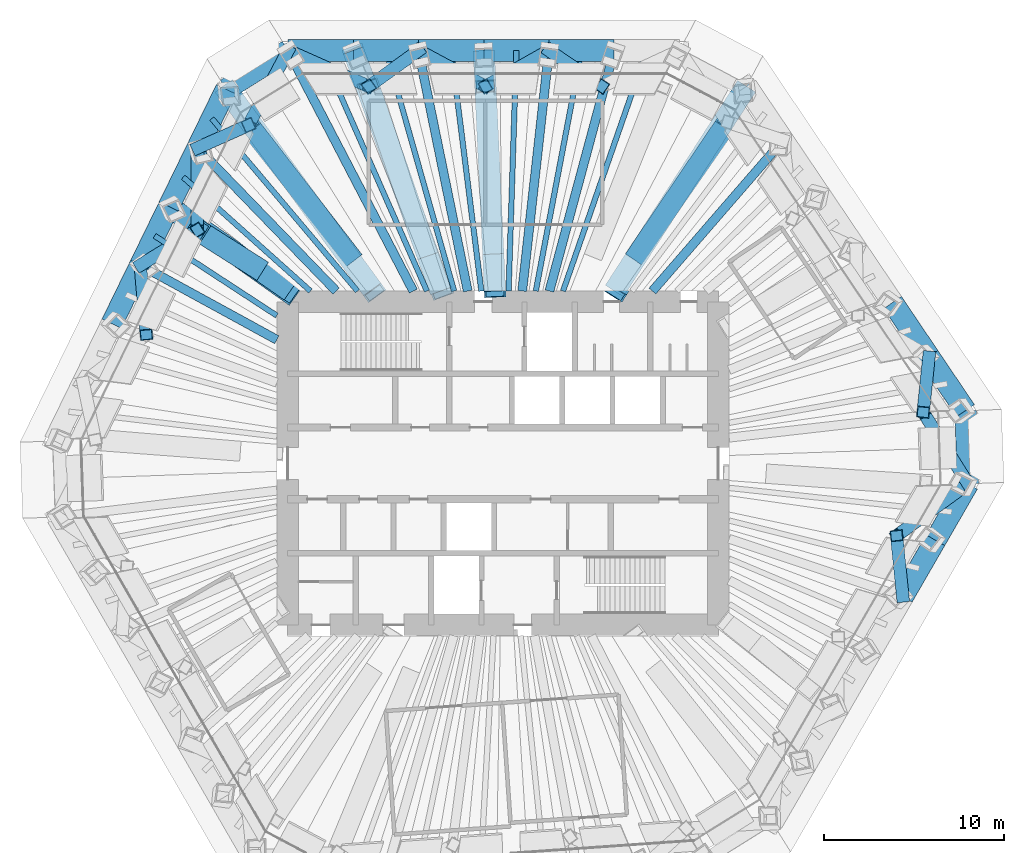
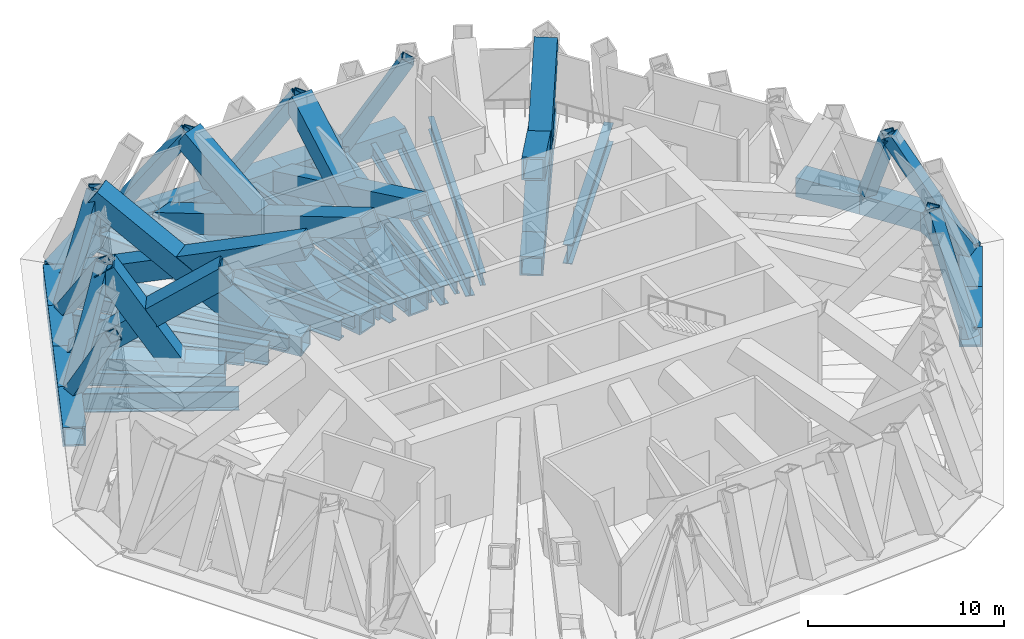
# One storey, part 4 of 12: 39 members, 21 beams.
"""IFC4 building model written with IfcOpenShell, lengths in metres."""

from ifc_helpers import new_model, si_unit, direction, frame, origin, origin_2d, place, context, subcontext, project, spatial, hollow_rectangle, i_section, extrude, material, material_profile, profile_set, type_object, element, save


model = new_model("IFC4")

# Units and contexts
model_context = context("Model", 3, precision=1e-05, world=origin(), true_north=direction((0.0, 1.0)))
body_context = subcontext(model_context, "Body", "Model", "MODEL_VIEW")
ifc_project = project(units=[si_unit("LENGTHUNIT", "METRE"), si_unit("AREAUNIT", "SQUARE_METRE"), si_unit("VOLUMEUNIT", "CUBIC_METRE"), si_unit("PLANEANGLEUNIT", "RADIAN"), si_unit("MASSUNIT", "GRAM", prefix="KILO")], contexts=[model_context])

# Site, building, storey
site_placement = place(None, origin())
site = spatial("IfcSite", under=ifc_project, at=site_placement, CompositionType="ELEMENT")
building_placement = place(site_placement, origin())
building = spatial("IfcBuilding", under=site, at=building_placement, Name="Qingtian Harvest Tower", CompositionType="ELEMENT")
storey_placement = place(building_placement, frame((0.0, 0.0, 256.0)))
storey = spatial("IfcBuildingStorey", under=building, at=storey_placement, Name="L56", CompositionType="ELEMENT", Elevation=256.0)

# Members
ifc_material_1 = material(Name="Steel SM570MC", Category="steel")
ifc_material_profile_1 = material_profile(ifc_material_1, hollow_rectangle(XDim=1.199951171875, YDim=1.199951171875, WallThickness=0.10009765625, at=origin_2d()), Name="BOX1200x1200x100")
ifc_profile_set_1 = profile_set([ifc_material_profile_1], Name="Steel SM570MC")
member_type_1 = type_object("IfcMemberType", Name="Belt truss chord BC3 BOX1200x1200x100", PredefinedType="CHORD", material=ifc_profile_set_1)
for number, where, z_axis, x_axis, name in (
    (1, (-11.971923828125, 23.0, -0.60009765625), (1.0, 0.0, 0.0), (0.0, 1.0, 0.0), "Belt chord BC3 N0"),
    (2, (-8.33837890625, 23.0, -0.60009765625), (1.0, 0.0, 0.0), (0.0, 1.0, 0.0), "Belt chord BC3 N1"),
    (3, (-4.704833984375, 23.0, -0.60009765625), (1.0, 0.0, 0.0), (0.0, 1.0, 0.0), "Belt chord BC3 N2"),
    (4, (-1.0712890625, 23.0, -0.60009765625), (1.0, 0.0, 0.0), (0.0, 1.0, 0.0), "Belt chord BC3 N3"),
    (5, (2.562255859375, 23.0, -0.60009765625), (1.0, 0.0, 0.0), (0.0, 1.0, 0.0), "Belt chord BC3 N4"),
):
    element("IfcMember", number, at=place(storey_placement, frame(where, z_axis=z_axis, x_axis=x_axis)), inside=storey, type_object=member_type_1, Name=name, PredefinedType="CHORD", context=body_context, shape_type="SweptSolid", body=[
        extrude(hollow_rectangle(XDim=1.199951171875, YDim=1.199951171875, WallThickness=0.10009765625, at=origin_2d()), origin(), (0.0, 0.0, 1.0), 3.633544921875),
    ])
member_1_placement = place(storey_placement, frame((21.69873046875, 8.9609375, -0.60009765625), z_axis=(0.55920395902, -0.829030115385, 0.0), x_axis=(0.829030115385, 0.55920395902, 0.0)))
element("IfcMember", 6, at=member_1_placement, inside=storey, type_object=member_type_1, Name="Belt chord BC3 NE4", PredefinedType="CHORD", context=body_context, shape_type="SweptSolid", body=[
    extrude(hollow_rectangle(XDim=1.199951171875, YDim=1.199951171875, WallThickness=0.10009765625, at=origin_2d()), origin(), (0.0, 0.0, 1.0), 3.6337890625),
])
member_2_placement = place(storey_placement, frame((23.730712890625, 5.948486328125, -0.60009765625), z_axis=(0.559188928021, -0.829040254016, 0.0), x_axis=(0.829040254016, 0.559188928021, 0.0)))
element("IfcMember", 7, at=member_2_placement, inside=storey, type_object=member_type_1, Name="Belt chord BC3 NE5", PredefinedType="CHORD", context=body_context, shape_type="SweptSolid", body=[
    extrude(hollow_rectangle(XDim=1.199951171875, YDim=1.199951171875, WallThickness=0.10009765625, at=origin_2d()), origin(), (0.0, 0.0, 1.0), 3.63330078125),
])
member_3_placement = place(storey_placement, frame((25.762451171875, 2.936279296875, -0.60009765625), z_axis=(0.03490639867, -0.999390585973, 0.0), x_axis=(0.999390585973, 0.03490639867, 0.0)))
element("IfcMember", 8, at=member_3_placement, inside=storey, type_object=member_type_1, Name="Belt chord BC3 NEC", PredefinedType="CHORD", context=body_context, shape_type="SweptSolid", body=[
    extrude(hollow_rectangle(XDim=1.199951171875, YDim=1.199951171875, WallThickness=0.10009765625, at=origin_2d()), origin(), (0.0, 0.0, 1.0), 4.070556640625),
])
member_4_placement = place(storey_placement, frame((25.904541015625, -1.1318359375, -0.60009765625), z_axis=(-0.499947341849, -0.866055803848, 0.0), x_axis=(0.866055803848, -0.499947341849, 0.0)))
element("IfcMember", 9, at=member_4_placement, inside=storey, type_object=member_type_1, Name="Belt chord BC3 SE0", PredefinedType="CHORD", context=body_context, shape_type="SweptSolid", body=[
    extrude(hollow_rectangle(XDim=1.199951171875, YDim=1.199951171875, WallThickness=0.10009765625, at=origin_2d()), origin(), (0.0, 0.0, 1.0), 3.6337890625),
])
for number, where, z_axis, x_axis, name in (
    (10, (24.087890625, -4.27880859375, -0.60009765625), (-0.500026827678, -0.866009914263, 0.0), (0.866009914263, -0.500026827678, 0.0), "Belt chord BC3 SE1"),
    (11, (-21.79541015625, 7.779541015625, -0.60009765625), (0.438349498419, 0.898804604592, 0.0), (-0.898804604592, 0.438349498419, 0.0), "Belt chord BC3 NW2"),
    (12, (-20.20263671875, 11.04541015625, -0.60009765625), (0.438349498419, 0.898804604592, 0.0), (-0.898804604592, 0.438349498419, 0.0), "Belt chord BC3 NW3"),
):
    element("IfcMember", number, at=place(storey_placement, frame(where, z_axis=z_axis, x_axis=x_axis)), inside=storey, type_object=member_type_1, Name=name, PredefinedType="CHORD", context=body_context, shape_type="SweptSolid", body=[
        extrude(hollow_rectangle(XDim=1.199951171875, YDim=1.199951171875, WallThickness=0.10009765625, at=origin_2d()), origin(), (0.0, 0.0, 1.0), 3.633544921875),
    ])
member_5_placement = place(storey_placement, frame((-18.60986328125, 14.311279296875, -0.60009765625), z_axis=(0.438403775684, 0.898778131391, 0.0), x_axis=(-0.898778131391, 0.438403775684, 0.0)))
element("IfcMember", 13, at=member_5_placement, inside=storey, type_object=member_type_1, Name="Belt chord BC3 NW4", PredefinedType="CHORD", context=body_context, shape_type="SweptSolid", body=[
    extrude(hollow_rectangle(XDim=1.199951171875, YDim=1.199951171875, WallThickness=0.10009765625, at=origin_2d()), origin(), (0.0, 0.0, 1.0), 3.6337890625),
])
member_6_placement = place(storey_placement, frame((-17.016845703125, 17.5771484375, -0.60009765625), z_axis=(0.43837597217, 0.898791692788, 0.0), x_axis=(-0.898791692788, 0.43837597217, 0.0)))
element("IfcMember", 14, at=member_6_placement, inside=storey, type_object=member_type_1, Name="Belt chord BC3 NW5", PredefinedType="CHORD", context=body_context, shape_type="SweptSolid", body=[
    extrude(hollow_rectangle(XDim=1.199951171875, YDim=1.199951171875, WallThickness=0.10009765625, at=origin_2d()), origin(), (0.0, 0.0, 1.0), 3.63330078125),
])
member_7_placement = place(storey_placement, frame((-15.424072265625, 20.8427734375, -0.60009765625), z_axis=(0.848038733752, 0.529934246919, 0.0), x_axis=(-0.529934246919, 0.848038733752, 0.0)))
element("IfcMember", 15, at=member_7_placement, inside=storey, type_object=member_type_1, Name="Belt chord BC3 NWC", PredefinedType="CHORD", context=body_context, shape_type="SweptSolid", body=[
    extrude(hollow_rectangle(XDim=1.199951171875, YDim=1.199951171875, WallThickness=0.10009765625, at=origin_2d()), origin(), (0.0, 0.0, 1.0), 4.07080078125),
])
ifc_material_2 = material(Name="Steel SM570MC", Category="steel")
ifc_material_profile_2 = material_profile(ifc_material_2, hollow_rectangle(XDim=0.699951171875, YDim=0.699951171875, WallThickness=0.0400390625, at=origin_2d()), Name="BOX700x700x40")
ifc_profile_set_2 = profile_set([ifc_material_profile_2], Name="Steel SM570MC")
member_type_2 = type_object("IfcMemberType", Name="Belt truss diagonal BD3 BOX700x700x40", PredefinedType="BRACE", material=ifc_profile_set_2)
member_8_placement = place(storey_placement, frame((-11.971923828125, 23.0, -0.60009765625), z_axis=(0.579552982792, -0.257704935951, 0.773114807854), x_axis=(0.406304125829, 0.91373790407, 0.0)))
element("IfcMember", 16, at=member_8_placement, inside=storey, type_object=member_type_2, Name="Belt truss diagonal BD3 L56 N0", PredefinedType="BRACE", context=body_context, shape_type="SweptSolid", body=[
    extrude(hollow_rectangle(XDim=0.699951171875, YDim=0.699951171875, WallThickness=0.0400390625, at=origin_2d()), origin(), (0.0, 0.0, 1.0), 7.7607421875),
])
member_9_placement = place(storey_placement, frame((-7.47412109375, 21.0, 5.39990234375), z_axis=(0.401097713455, 0.289675788471, -0.869027365412), x_axis=(-0.585482725454, 0.81068488218, 0.0)))
element("IfcMember", 17, at=member_9_placement, inside=storey, type_object=member_type_2, Name="Belt truss diagonal BD3 L56 N1", PredefinedType="BRACE", context=body_context, shape_type="SweptSolid", body=[
    extrude(hollow_rectangle(XDim=0.699951171875, YDim=0.699951171875, WallThickness=0.0400390625, at=origin_2d()), origin(), (0.0, 0.0, 1.0), 6.904296875),
])
member_10_placement = place(storey_placement, frame((-4.704833984375, 23.0, -0.60009765625), z_axis=(0.507651093575, -0.272450062799, 0.817350188397), x_axis=(0.472887667218, 0.881122723684, 0.0)))
element("IfcMember", 18, at=member_10_placement, inside=storey, type_object=member_type_2, Name="Belt truss diagonal BD3 L56 N2", PredefinedType="BRACE", context=body_context, shape_type="SweptSolid", body=[
    extrude(hollow_rectangle(XDim=0.699951171875, YDim=0.699951171875, WallThickness=0.0400390625, at=origin_2d()), origin(), (0.0, 0.0, 1.0), 7.3408203125),
])
member_11_placement = place(storey_placement, frame((-0.978271484375, 21.0, 5.39990234375), z_axis=(0.488474845847, 0.275933384166, -0.827800152499), x_axis=(-0.491839621364, 0.870685814089, 0.0)))
element("IfcMember", 19, at=member_11_placement, inside=storey, type_object=member_type_2, Name="Belt truss diagonal BD3 L56 N3", PredefinedType="BRACE", context=body_context, shape_type="SweptSolid", body=[
    extrude(hollow_rectangle(XDim=0.699951171875, YDim=0.699951171875, WallThickness=0.0400390625, at=origin_2d()), origin(), (0.0, 0.0, 1.0), 7.248046875),
])
member_12_placement = place(storey_placement, frame((2.562255859375, 23.0, -0.60009765625), z_axis=(0.423368532622, -0.286488932698, 0.859466798094), x_axis=(0.56043359977, 0.828199360208, 0.0)))
element("IfcMember", 20, at=member_12_placement, inside=storey, type_object=member_type_2, Name="Belt truss diagonal BD3 L56 N4", PredefinedType="BRACE", context=body_context, shape_type="SweptSolid", body=[
    extrude(hollow_rectangle(XDim=0.699951171875, YDim=0.699951171875, WallThickness=0.0400390625, at=origin_2d()), origin(), (0.0, 0.0, 1.0), 6.98095703125),
])
member_13_placement = place(storey_placement, frame((23.730712890625, 5.948486328125, -0.60009765625), z_axis=(-0.048114253244, -0.457843963864, 0.887729645437), x_axis=(0.994523495455, -0.104513238339, 0.0)))
element("IfcMember", 21, at=member_13_placement, inside=storey, type_object=member_type_2, Name="Belt truss diagonal BD3 L56 NE5", PredefinedType="BRACE", context=body_context, shape_type="SweptSolid", body=[
    extrude(hollow_rectangle(XDim=0.699951171875, YDim=0.699951171875, WallThickness=0.0400390625, at=origin_2d()), origin(), (0.0, 0.0, 1.0), 6.7587890625),
])
member_14_placement = place(storey_placement, frame((23.405517578125, 2.85400390625, 5.39990234375), z_axis=(0.327764985671, -0.522771703406, -0.786943365362), x_axis=(0.847245257372, 0.531201914398, 0.0)))
element("IfcMember", 22, at=member_14_placement, inside=storey, type_object=member_type_2, Name="Belt truss diagonal BD3 L56 NE6", PredefinedType="BRACE", context=body_context, shape_type="SweptSolid", body=[
    extrude(hollow_rectangle(XDim=0.699951171875, YDim=0.699951171875, WallThickness=0.0400390625, at=origin_2d()), origin(), (0.0, 0.0, 1.0), 7.62451171875),
])
member_15_placement = place(storey_placement, frame((25.904541015625, -1.1318359375, -0.60009765625), z_axis=(-0.512954685556, -0.373060812953, 0.773112618191), x_axis=(0.588174646701, -0.808733939549, 0.0)))
element("IfcMember", 23, at=member_15_placement, inside=storey, type_object=member_type_2, Name="Belt truss diagonal BD3 L56 SE0", PredefinedType="BRACE", context=body_context, shape_type="SweptSolid", body=[
    extrude(hollow_rectangle(XDim=0.699951171875, YDim=0.699951171875, WallThickness=0.0400390625, at=origin_2d()), origin(), (0.0, 0.0, 1.0), 7.7607421875),
])
member_16_placement = place(storey_placement, frame((21.923583984375, -4.027099609375, 5.39990234375), z_axis=(0.050317846436, -0.492216740963, -0.869017142665), x_axis=(0.994815419414, 0.101697007315, 0.0)))
element("IfcMember", 24, at=member_16_placement, inside=storey, type_object=member_type_2, Name="Belt truss diagonal BD3 L56 SE1", PredefinedType="BRACE", context=body_context, shape_type="SweptSolid", body=[
    extrude(hollow_rectangle(XDim=0.699951171875, YDim=0.699951171875, WallThickness=0.0400390625, at=origin_2d()), origin(), (0.0, 0.0, 1.0), 6.904296875),
])
member_17_placement = place(storey_placement, frame((-19.86962890625, 7.165771484375, 5.39990234375), z_axis=(-0.04655631352, 0.542394705383, -0.838832816027), x_axis=(-0.996336429333, -0.08552028756, 0.0)))
element("IfcMember", 25, at=member_17_placement, inside=storey, type_object=member_type_2, Name="Belt truss diagonal BD3 L56 NW2", PredefinedType="BRACE", context=body_context, shape_type="SweptSolid", body=[
    extrude(hollow_rectangle(XDim=0.699951171875, YDim=0.699951171875, WallThickness=0.0400390625, at=origin_2d()), origin(), (0.0, 0.0, 1.0), 7.15283203125),
])
member_18_placement = place(storey_placement, frame((-20.20263671875, 11.04541015625, -0.60009765625), z_axis=(0.450019785168, 0.277169078614, 0.848916659524), x_axis=(-0.524418279069, 0.851460785109, 0.0)))
element("IfcMember", 26, at=member_18_placement, inside=storey, type_object=member_type_2, Name="Belt truss diagonal BD3 L56 NW3", PredefinedType="BRACE", context=body_context, shape_type="SweptSolid", body=[
    extrude(hollow_rectangle(XDim=0.699951171875, YDim=0.699951171875, WallThickness=0.0400390625, at=origin_2d()), origin(), (0.0, 0.0, 1.0), 7.06787109375),
])
member_19_placement = place(storey_placement, frame((-17.02197265625, 13.00439453125, 5.39990234375), z_axis=(0.000679617659, 0.606154226363, -0.795346837538), x_axis=(-0.99999937146, 0.001121195238, 0.0)))
element("IfcMember", 27, at=member_19_placement, inside=storey, type_object=member_type_2, Name="Belt truss diagonal BD3 L56 NW4", PredefinedType="BRACE", context=body_context, shape_type="SweptSolid", body=[
    extrude(hollow_rectangle(XDim=0.699951171875, YDim=0.699951171875, WallThickness=0.0400390625, at=origin_2d()), origin(), (0.0, 0.0, 1.0), 7.5439453125),
])
member_20_placement = place(storey_placement, frame((-17.016845703125, 17.5771484375, -0.60009765625), z_axis=(0.420565305909, 0.187255049887, 0.887727643908), x_axis=(-0.406749897726, 0.913539556177, 0.0)))
element("IfcMember", 28, at=member_20_placement, inside=storey, type_object=member_type_2, Name="Belt truss diagonal BD3 L56 NW5", PredefinedType="BRACE", context=body_context, shape_type="SweptSolid", body=[
    extrude(hollow_rectangle(XDim=0.699951171875, YDim=0.699951171875, WallThickness=0.0400390625, at=origin_2d()), origin(), (0.0, 0.0, 1.0), 6.7587890625),
])
member_21_placement = place(storey_placement, frame((-14.17431640625, 18.8427734375, 5.39990234375), z_axis=(0.288857149608, 0.545245487587, -0.786936404918), x_axis=(-0.88365534016, 0.468138056353, 0.0)))
element("IfcMember", 29, at=member_21_placement, inside=storey, type_object=member_type_2, Name="Belt truss diagonal BD3 L56 NW6", PredefinedType="BRACE", context=body_context, shape_type="SweptSolid", body=[
    extrude(hollow_rectangle(XDim=0.699951171875, YDim=0.699951171875, WallThickness=0.0400390625, at=origin_2d()), origin(), (0.0, 0.0, 1.0), 7.62451171875),
])

# Beams
ifc_material_3 = material(Name="Steel SN490B", Category="steel")
ifc_material_profile_3 = material_profile(ifc_material_3, i_section(OverallWidth=0.300048828125, OverallDepth=0.800048828125, WebThickness=0.013916015625, FlangeThickness=0.02587890625, at=origin_2d()), Name="H800x300x14x26")
ifc_profile_set_3 = profile_set([ifc_material_profile_3], Name="Steel SN490B")
beam_type_1 = type_object("IfcBeamType", Name="Floor joist J1 H800x300x14x26", PredefinedType="JOIST", material=ifc_profile_set_3)
beam_1_placement = place(storey_placement, frame((-10.1552734375, 23.0, -0.679931640625), z_axis=(0.40391347792, -0.914797191925, 0.0), x_axis=(0.914797191925, 0.40391347792, 0.0)))
element("IfcBeam", 30, at=beam_1_placement, inside=storey, type_object=beam_type_1, Name="Floor joist J1 N0", PredefinedType="JOIST", context=body_context, shape_type="SweptSolid", body=[
    extrude(i_section(OverallWidth=0.300048828125, OverallDepth=0.800048828125, WebThickness=0.013916015625, FlangeThickness=0.02587890625, at=origin_2d()), origin(), (0.0, 0.0, 1.0), 14.64794921875),
])
beam_2_placement = place(storey_placement, frame((-6.521728515625, 23.0, -0.679931640625), z_axis=(0.272796737564, -0.962071691702, 0.0), x_axis=(0.962071691702, 0.272796737564, 0.0)))
element("IfcBeam", 31, at=beam_2_placement, inside=storey, type_object=beam_type_1, Name="Floor joist J1 N1", PredefinedType="JOIST", context=body_context, shape_type="SweptSolid", body=[
    extrude(i_section(OverallWidth=0.300048828125, OverallDepth=0.800048828125, WebThickness=0.013916015625, FlangeThickness=0.02587890625, at=origin_2d()), origin(), (0.0, 0.0, 1.0), 13.92822265625),
])
beam_3_placement = place(storey_placement, frame((-2.88818359375, 23.0, -0.679931640625), z_axis=(0.124590949529, -0.992208191508, 0.0), x_axis=(0.992208191508, 0.124590949529, 0.0)))
element("IfcBeam", 32, at=beam_3_placement, inside=storey, type_object=beam_type_1, Name="Floor joist J1 N2", PredefinedType="JOIST", context=body_context, shape_type="SweptSolid", body=[
    extrude(i_section(OverallWidth=0.300048828125, OverallDepth=0.800048828125, WebThickness=0.013916015625, FlangeThickness=0.02587890625, at=origin_2d()), origin(), (0.0, 0.0, 1.0), 13.505126953125),
])
beam_4_placement = place(storey_placement, frame((0.745361328125, 23.0, -0.679931640625), z_axis=(-0.032395624487, -0.99947512401, 0.0), x_axis=(0.99947512401, -0.032395624487, 0.0)))
element("IfcBeam", 33, at=beam_4_placement, inside=storey, type_object=beam_type_1, Name="Floor joist J1 N3", PredefinedType="JOIST", context=body_context, shape_type="SweptSolid", body=[
    extrude(i_section(OverallWidth=0.300048828125, OverallDepth=0.800048828125, WebThickness=0.013916015625, FlangeThickness=0.02587890625, at=origin_2d()), origin(), (0.0, 0.0, 1.0), 13.406982421875),
])
beam_5_placement = place(storey_placement, frame((4.37890625, 23.0, -0.679931640625), z_axis=(-0.187034797062, -0.982353289142, 0.0), x_axis=(0.982353289142, -0.187034797062, 0.0)))
element("IfcBeam", 34, at=beam_5_placement, inside=storey, type_object=beam_type_1, Name="Floor joist J1 N4", PredefinedType="JOIST", context=body_context, shape_type="SweptSolid", body=[
    extrude(i_section(OverallWidth=0.300048828125, OverallDepth=0.800048828125, WebThickness=0.013916015625, FlangeThickness=0.02587890625, at=origin_2d()), origin(), (0.0, 0.0, 1.0), 13.640625),
])
beam_6_placement = place(storey_placement, frame((8.012451171875, 23.0, -0.679931640625), z_axis=(-0.328969033283, -0.944340709247, 0.0), x_axis=(0.944340709247, -0.328969033283, 0.0)))
element("IfcBeam", 35, at=beam_6_placement, inside=storey, type_object=beam_type_1, Name="Floor joist J1 N5", PredefinedType="JOIST", context=body_context, shape_type="SweptSolid", body=[
    extrude(i_section(OverallWidth=0.300048828125, OverallDepth=0.800048828125, WebThickness=0.013916015625, FlangeThickness=0.02587890625, at=origin_2d()), origin(), (0.0, 0.0, 1.0), 14.189697265625),
])
beam_7_placement = place(storey_placement, frame((-19.40625, 12.678466796875, -0.679931640625), z_axis=(0.837161066611, -0.546956441182, 0.0), x_axis=(0.546956441182, 0.837161066611, 0.0)))
element("IfcBeam", 36, at=beam_7_placement, inside=storey, type_object=beam_type_1, Name="Floor joist J1 NW3", PredefinedType="JOIST", context=body_context, shape_type="SweptSolid", body=[
    extrude(i_section(OverallWidth=0.300048828125, OverallDepth=0.800048828125, WebThickness=0.013916015625, FlangeThickness=0.02587890625, at=origin_2d()), origin(), (0.0, 0.0, 1.0), 8.130126953125),
])
beam_8_placement = place(storey_placement, frame((-17.813232421875, 15.944091796875, -0.679931640625), z_axis=(0.745126517589, -0.66692313859, 0.0), x_axis=(0.66692313859, 0.745126517589, 0.0)))
element("IfcBeam", 37, at=beam_8_placement, inside=storey, type_object=beam_type_1, Name="Floor joist J1 NW4", PredefinedType="JOIST", context=body_context, shape_type="SweptSolid", body=[
    extrude(i_section(OverallWidth=0.300048828125, OverallDepth=0.800048828125, WebThickness=0.013916015625, FlangeThickness=0.02587890625, at=origin_2d()), origin(), (0.0, 0.0, 1.0), 9.512451171875),
])
beam_9_placement = place(storey_placement, frame((-16.220458984375, 19.2099609375, -0.679931640625), z_axis=(0.645157903911, -0.764049264787, 0.0), x_axis=(0.764049264787, 0.645157903911, 0.0)))
element("IfcBeam", 38, at=beam_9_placement, inside=storey, type_object=beam_type_1, Name="Floor joist J1 NW5", PredefinedType="JOIST", context=body_context, shape_type="SweptSolid", body=[
    extrude(i_section(OverallWidth=0.300048828125, OverallDepth=0.800048828125, WebThickness=0.013916015625, FlangeThickness=0.02587890625, at=origin_2d()), origin(), (0.0, 0.0, 1.0), 12.57763671875),
])
ifc_material_4 = material(Name="Steel SM570MC", Category="steel")
ifc_material_profile_4 = material_profile(ifc_material_4, hollow_rectangle(XDim=1.199951171875, YDim=1.199951171875, WallThickness=0.10009765625, at=origin_2d()), Name="BOX1200x1200x100")
ifc_profile_set_4 = profile_set([ifc_material_profile_4], Name="Steel SM570MC")
beam_type_2 = type_object("IfcBeamType", Name="Outrigger chord beam OC2 BOX1200x1200x100", PredefinedType="BEAM", material=ifc_profile_set_4)
beam_10_placement = place(storey_placement, frame((-8.33837890625, 23.0, -0.8798828125), z_axis=(0.340826952705, -0.94012604916, 0.0), x_axis=(0.94012604916, 0.340826952705, 0.0)))
element("IfcBeam", 39, at=beam_10_placement, inside=storey, type_object=beam_type_2, Name="Floor beam OC2 N1", PredefinedType="BEAM", context=body_context, shape_type="SweptSolid", body=[
    extrude(hollow_rectangle(XDim=1.199951171875, YDim=1.199951171875, WallThickness=0.10009765625, at=origin_2d()), origin(), (0.0, 0.0, 1.0), 14.25341796875),
])
beam_11_placement = place(storey_placement, frame((-1.0712890625, 23.0, -0.8798828125), z_axis=(0.04651883736, -0.998917412888, 0.0), x_axis=(0.998917412888, 0.04651883736, 0.0)))
element("IfcBeam", 40, at=beam_11_placement, inside=storey, type_object=beam_type_2, Name="Floor beam OC2 N3", PredefinedType="BEAM", context=body_context, shape_type="SweptSolid", body=[
    extrude(hollow_rectangle(XDim=1.199951171875, YDim=1.199951171875, WallThickness=0.10009765625, at=origin_2d()), origin(), (0.0, 0.0, 1.0), 13.414306640625),
])
beam_12_placement = place(storey_placement, frame((13.5712890625, 21.01025390625, -0.8798828125), z_axis=(-0.542593072822, -0.839995688873, 0.0), x_axis=(0.839995688873, -0.542593072822, 0.0)))
element("IfcBeam", 41, at=beam_12_placement, inside=storey, type_object=beam_type_2, Name="Floor beam OC2 NE0", PredefinedType="BEAM", context=body_context, shape_type="SweptSolid", body=[
    extrude(hollow_rectangle(XDim=1.199951171875, YDim=1.199951171875, WallThickness=0.10009765625, at=origin_2d()), origin(), (0.0, 0.0, 1.0), 13.58349609375),
])
beam_13_placement = place(storey_placement, frame((-18.60986328125, 14.311279296875, -0.8798828125), z_axis=(0.820407854234, -0.571778762032, 0.0), x_axis=(0.571778762032, 0.820407854234, 0.0)))
element("IfcBeam", 42, at=beam_13_placement, inside=storey, type_object=beam_type_2, Name="Floor beam OC2 NW4", PredefinedType="BEAM", context=body_context, shape_type="SweptSolid", body=[
    extrude(hollow_rectangle(XDim=1.199951171875, YDim=1.199951171875, WallThickness=0.10009765625, at=origin_2d()), origin(), (0.0, 0.0, 1.0), 8.239501953125),
])
beam_14_placement = place(storey_placement, frame((-15.424072265625, 20.8427734375, -0.8798828125), z_axis=(0.594854284538, -0.803833552526, 0.0), x_axis=(0.803833552526, 0.594854284538, 0.0)))
element("IfcBeam", 43, at=beam_14_placement, inside=storey, type_object=beam_type_2, Name="Floor beam OC2 NW6", PredefinedType="BEAM", context=body_context, shape_type="SweptSolid", body=[
    extrude(hollow_rectangle(XDim=1.199951171875, YDim=1.199951171875, WallThickness=0.10009765625, at=origin_2d()), origin(), (0.0, 0.0, 1.0), 13.986328125),
])

# Members
ifc_material_5 = material(Name="Steel SM570MC", Category="steel")
ifc_material_profile_5 = material_profile(ifc_material_5, hollow_rectangle(XDim=1.199951171875, YDim=1.199951171875, WallThickness=0.10009765625, at=origin_2d()), Name="BOX1200x1200x100")
ifc_profile_set_5 = profile_set([ifc_material_profile_5], Name="Steel SM570MC")
member_type_3 = type_object("IfcMemberType", Name="Outrigger diagonal OT3 BOX1200x1200x100", PredefinedType="BRACE", material=ifc_profile_set_5)
member_22_placement = place(storey_placement, frame((-8.33837890625, 23.0, -0.8798828125), z_axis=(0.317256279516, -0.863974549722, 0.391019731651), x_axis=(0.938712700315, 0.344700545788, 0.0)))
element("IfcMember", 44, at=member_22_placement, inside=storey, type_object=member_type_3, Name="Outrigger diagonal OT3 L56 N1-1", PredefinedType="BRACE", context=body_context, shape_type="SweptSolid", body=[
    extrude(hollow_rectangle(XDim=1.199951171875, YDim=1.199951171875, WallThickness=0.10009765625, at=origin_2d()), origin(), (0.0, 0.0, 1.0), 15.62548828125),
])
member_23_placement = place(storey_placement, frame((-4.29833984375, 11.856201171875, -0.8798828125), z_axis=(-0.277442746677, 0.798820971041, 0.533770155162), x_axis=(-0.944646415461, -0.328090154923, 0.0)))
element("IfcMember", 45, at=member_23_placement, inside=storey, type_object=member_type_3, Name="Outrigger diagonal OT3 L56 N1-2", PredefinedType="BRACE", context=body_context, shape_type="SweptSolid", body=[
    extrude(hollow_rectangle(XDim=1.199951171875, YDim=1.199951171875, WallThickness=0.10009765625, at=origin_2d()), origin(), (0.0, 0.0, 1.0), 11.446533203125),
])
member_24_placement = place(storey_placement, frame((-1.0712890625, 23.0, -0.8798828125), z_axis=(0.042386737, -0.910220197725, 0.411949701032), x_axis=(0.998917491286, 0.046517153864, 0.0)))
element("IfcMember", 46, at=member_24_placement, inside=storey, type_object=member_type_3, Name="Outrigger diagonal OT3 L56 N3-1", PredefinedType="BRACE", context=body_context, shape_type="SweptSolid", body=[
    extrude(hollow_rectangle(XDim=1.199951171875, YDim=1.199951171875, WallThickness=0.10009765625, at=origin_2d()), origin(), (0.0, 0.0, 1.0), 14.83154296875),
])
member_25_placement = place(storey_placement, frame((-0.558837890625, 11.997314453125, -0.8798828125), z_axis=(-0.038521556059, 0.826823271054, 0.561141130343), x_axis=(-0.998916457491, -0.046539348447, 0.0)))
element("IfcMember", 47, at=member_25_placement, inside=storey, type_object=member_type_3, Name="Outrigger diagonal OT3 L56 N3-2", PredefinedType="BRACE", context=body_context, shape_type="SweptSolid", body=[
    extrude(hollow_rectangle(XDim=1.199951171875, YDim=1.199951171875, WallThickness=0.10009765625, at=origin_2d()), origin(), (0.0, 0.0, 1.0), 10.88818359375),
])
member_26_placement = place(storey_placement, frame((-18.60986328125, 14.311279296875, -0.8798828125), z_axis=(0.65603051901, -0.466931285688, 0.592957951775), x_axis=(0.579870720294, 0.81470850477, 0.0)))
element("IfcMember", 48, at=member_26_placement, inside=storey, type_object=member_type_3, Name="Outrigger diagonal OT3 L56 NW4-1", PredefinedType="BRACE", context=body_context, shape_type="SweptSolid", body=[
    extrude(hollow_rectangle(XDim=1.199951171875, YDim=1.199951171875, WallThickness=0.10009765625, at=origin_2d()), origin(), (0.0, 0.0, 1.0), 10.303955078125),
])
member_27_placement = place(storey_placement, frame((-13.81884765625, 10.97216796875, -0.8798828125), z_axis=(-0.445392620602, 0.282579891303, 0.849572844755), x_axis=(-0.535725615148, -0.844392127672, 0.0)))
element("IfcMember", 49, at=member_27_placement, inside=storey, type_object=member_type_3, Name="Outrigger diagonal OT3 L56 NW4-2", PredefinedType="BRACE", context=body_context, shape_type="SweptSolid", body=[
    extrude(hollow_rectangle(XDim=1.199951171875, YDim=1.199951171875, WallThickness=0.10009765625, at=origin_2d()), origin(), (0.0, 0.0, 1.0), 7.191650390625),
])
member_28_placement = place(storey_placement, frame((13.5712890625, 21.01025390625, -0.8798828125), z_axis=(-0.489786488177, -0.770075160795, 0.408770648073), x_axis=(0.843791166676, -0.53667165664, 0.0)))
element("IfcMember", 50, at=member_28_placement, inside=storey, type_object=member_type_3, Name="Outrigger diagonal OT3 L56 NE0-1", PredefinedType="BRACE", context=body_context, shape_type="SweptSolid", body=[
    extrude(hollow_rectangle(XDim=1.199951171875, YDim=1.199951171875, WallThickness=0.10009765625, at=origin_2d()), origin(), (0.0, 0.0, 1.0), 14.947021484375),
])
member_29_placement = place(storey_placement, frame((7.503173828125, 11.615966796875, -0.8798828125), z_axis=(0.46259333141, 0.683442157484, 0.564724912774), x_axis=(-0.82813446648, 0.560529486672, 0.0)))
element("IfcMember", 51, at=member_29_placement, inside=storey, type_object=member_type_3, Name="Outrigger diagonal OT3 L56 NE0-2", PredefinedType="BRACE", context=body_context, shape_type="SweptSolid", body=[
    extrude(hollow_rectangle(XDim=1.199951171875, YDim=1.199951171875, WallThickness=0.10009765625, at=origin_2d()), origin(), (0.0, 0.0, 1.0), 10.819091796875),
])
member_30_placement = place(storey_placement, frame((-15.424072265625, 20.8427734375, -0.8798828125), z_axis=(0.540548406498, -0.740691292571, 0.398978482305), x_axis=(0.80776812461, 0.589500345093, 0.0)))
element("IfcMember", 52, at=member_30_placement, inside=storey, type_object=member_type_3, Name="Outrigger diagonal OT3 L56 NW6-1", PredefinedType="BRACE", context=body_context, shape_type="SweptSolid", body=[
    extrude(hollow_rectangle(XDim=1.199951171875, YDim=1.199951171875, WallThickness=0.10009765625, at=origin_2d()), origin(), (0.0, 0.0, 1.0), 15.313720703125),
])
member_31_placement = place(storey_placement, frame((-8.53173828125, 11.529296875, -0.8798828125), z_axis=(-0.50948697034, 0.660357895617, 0.551679686731), x_axis=(-0.791742811519, -0.610854582048, 0.0)))
element("IfcMember", 53, at=member_31_placement, inside=storey, type_object=member_type_3, Name="Outrigger diagonal OT3 L56 NW6-2", PredefinedType="BRACE", context=body_context, shape_type="SweptSolid", body=[
    extrude(hollow_rectangle(XDim=1.199951171875, YDim=1.199951171875, WallThickness=0.10009765625, at=origin_2d()), origin(), (0.0, 0.0, 1.0), 11.074951171875),
])

# Beams
ifc_material_6 = material(Name="Steel SM570MC", Category="steel")
ifc_material_profile_6 = material_profile(ifc_material_6, i_section(OverallWidth=0.5, OverallDepth=1.199951171875, WebThickness=0.02490234375, FlangeThickness=0.050048828125, at=origin_2d()), Name="H1200x500x25x50")
ifc_profile_set_6 = profile_set([ifc_material_profile_6], Name="Steel SM570MC")
beam_type_3 = type_object("IfcBeamType", Name="Plant corner beam FB10 H1200x500x25x50", PredefinedType="BEAM", material=ifc_profile_set_6)
beam_15_placement = place(storey_placement, frame((-11.971923828125, 23.0, -0.8798828125), z_axis=(0.461712460868, -0.887029651973, 0.0), x_axis=(0.887029651973, 0.461712460868, 0.0)))
element("IfcBeam", 54, at=beam_15_placement, inside=storey, type_object=beam_type_3, Name="Floor beam FB10 N0", PredefinedType="BEAM", context=body_context, shape_type="SweptSolid", body=[
    extrude(i_section(OverallWidth=0.5, OverallDepth=1.199951171875, WebThickness=0.02490234375, FlangeThickness=0.050048828125, at=origin_2d()), origin(), (0.0, 0.0, 1.0), 15.1064453125),
])
ifc_material_7 = material(Name="Steel SM570MC", Category="steel")
ifc_material_profile_7 = material_profile(ifc_material_7, i_section(OverallWidth=0.5, OverallDepth=1.199951171875, WebThickness=0.02490234375, FlangeThickness=0.050048828125, at=origin_2d()), Name="H1200x500x25x50")
ifc_profile_set_7 = profile_set([ifc_material_profile_7], Name="Steel SM570MC")
beam_type_4 = type_object("IfcBeamType", Name="Plant floor beam FB7 H1200x500x25x50", PredefinedType="BEAM", material=ifc_profile_set_7)
beam_16_placement = place(storey_placement, frame((-4.704833984375, 23.0, -0.8798828125), z_axis=(0.200401687601, -0.979713817197, 0.0), x_axis=(0.979713817197, 0.200401687601, 0.0)))
element("IfcBeam", 55, at=beam_16_placement, inside=storey, type_object=beam_type_4, Name="Floor beam FB7 N2", PredefinedType="BEAM", context=body_context, shape_type="SweptSolid", body=[
    extrude(i_section(OverallWidth=0.5, OverallDepth=1.199951171875, WebThickness=0.02490234375, FlangeThickness=0.050048828125, at=origin_2d()), origin(), (0.0, 0.0, 1.0), 13.67724609375),
])
beam_17_placement = place(storey_placement, frame((2.562255859375, 23.0, -0.8798828125), z_axis=(-0.110727645803, -0.993850787822, 0.0), x_axis=(0.993850787822, -0.110727645803, 0.0)))
element("IfcBeam", 56, at=beam_17_placement, inside=storey, type_object=beam_type_4, Name="Floor beam FB7 N4", PredefinedType="BEAM", context=body_context, shape_type="SweptSolid", body=[
    extrude(i_section(OverallWidth=0.5, OverallDepth=1.199951171875, WebThickness=0.02490234375, FlangeThickness=0.050048828125, at=origin_2d()), origin(), (0.0, 0.0, 1.0), 13.48291015625),
])
beam_18_placement = place(storey_placement, frame((6.19580078125, 23.0, -0.8798828125), z_axis=(-0.260121100906, -0.965576000563, 0.0), x_axis=(0.965576000563, -0.260121100906, 0.0)))
element("IfcBeam", 57, at=beam_18_placement, inside=storey, type_object=beam_type_4, Name="Floor beam FB7 N5", PredefinedType="BEAM", context=body_context, shape_type="SweptSolid", body=[
    extrude(i_section(OverallWidth=0.5, OverallDepth=1.199951171875, WebThickness=0.02490234375, FlangeThickness=0.050048828125, at=origin_2d()), origin(), (0.0, 0.0, 1.0), 13.877685546875),
])
beam_19_placement = place(storey_placement, frame((15.603271484375, 17.998046875, -0.8798828125), z_axis=(-0.655048444444, -0.755586881458, 0.0), x_axis=(0.755586881458, -0.655048444444, 0.0)))
element("IfcBeam", 58, at=beam_19_placement, inside=storey, type_object=beam_type_4, Name="Floor beam FB7 NE1", PredefinedType="BEAM", context=body_context, shape_type="SweptSolid", body=[
    extrude(i_section(OverallWidth=0.5, OverallDepth=1.199951171875, WebThickness=0.02490234375, FlangeThickness=0.050048828125, at=origin_2d()), origin(), (0.0, 0.0, 1.0), 11.114501953125),
])
beam_20_placement = place(storey_placement, frame((-20.20263671875, 11.04541015625, -0.8798828125), z_axis=(0.87742673539, -0.479710666988, 0.0), x_axis=(0.479710666988, 0.87742673539, 0.0)))
element("IfcBeam", 59, at=beam_20_placement, inside=storey, type_object=beam_type_4, Name="Floor beam FB7 NW3", PredefinedType="BEAM", context=body_context, shape_type="SweptSolid", body=[
    extrude(i_section(OverallWidth=0.5, OverallDepth=1.199951171875, WebThickness=0.02490234375, FlangeThickness=0.050048828125, at=origin_2d()), origin(), (0.0, 0.0, 1.0), 8.66455078125),
])
beam_21_placement = place(storey_placement, frame((-17.016845703125, 17.5771484375, -0.8798828125), z_axis=(0.695569024353, -0.718459276759, 0.0), x_axis=(0.718459276759, 0.695569024353, 0.0)))
element("IfcBeam", 60, at=beam_21_placement, inside=storey, type_object=beam_type_4, Name="Floor beam FB7 NW5", PredefinedType="BEAM", context=body_context, shape_type="SweptSolid", body=[
    extrude(i_section(OverallWidth=0.5, OverallDepth=1.199951171875, WebThickness=0.02490234375, FlangeThickness=0.050048828125, at=origin_2d()), origin(), (0.0, 0.0, 1.0), 11.10302734375),
])

save(model, "model.ifc")
